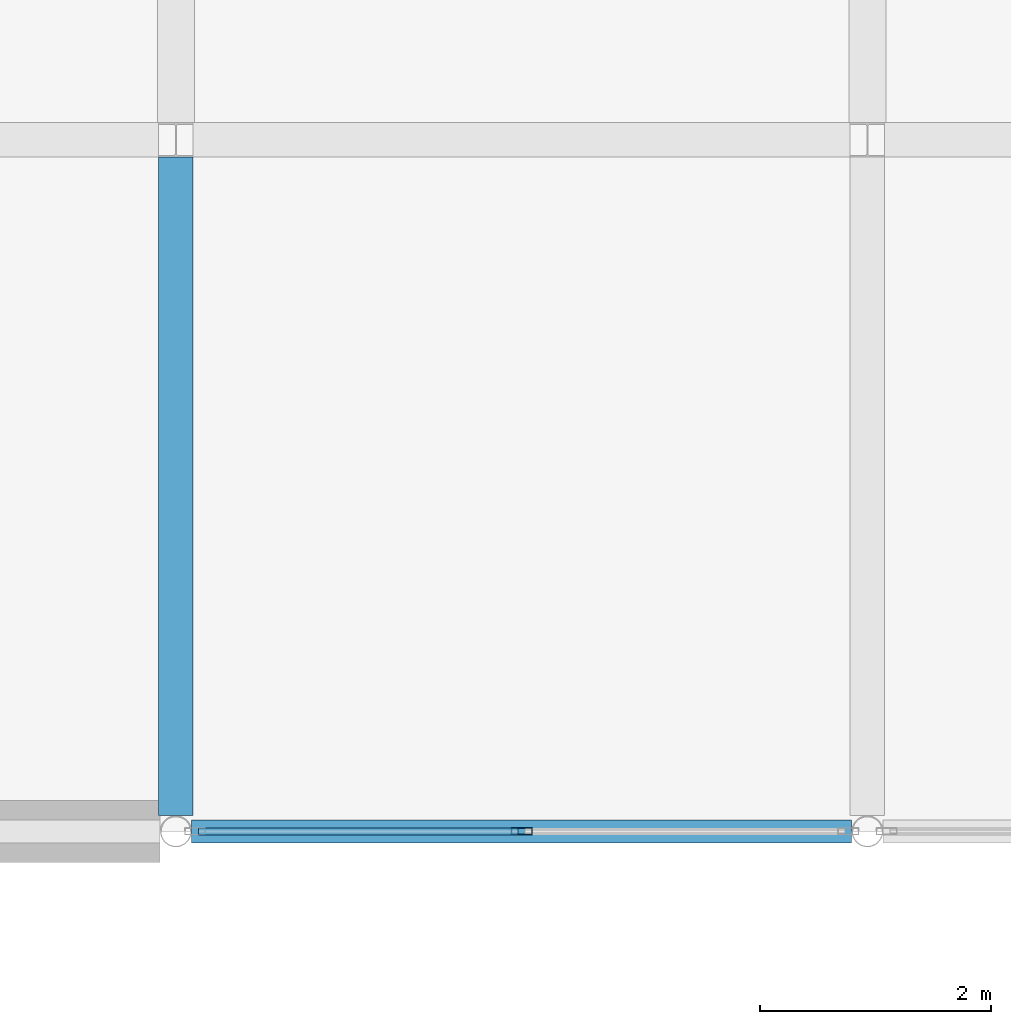
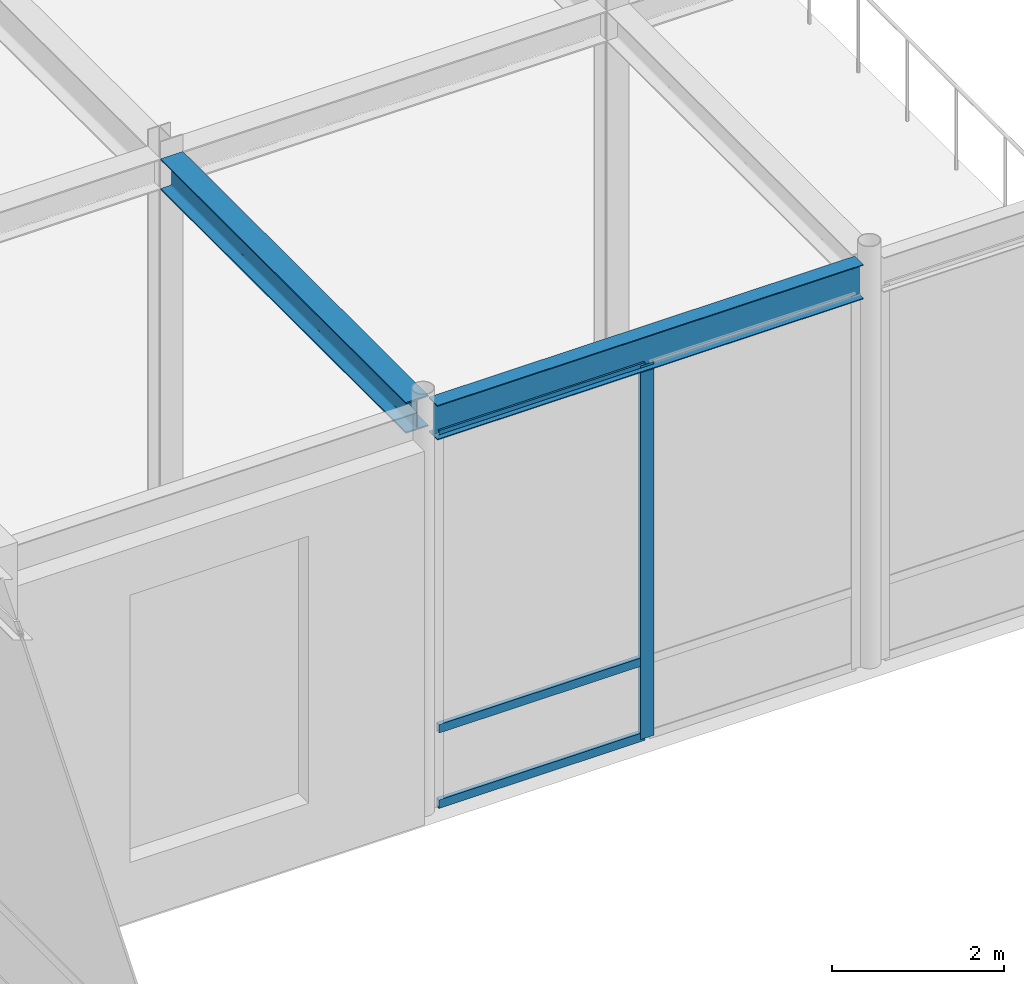
# One storey, part 35 of 108: 4 members, 2 beams, 1 element without a shape of its own.
"""IFC4 building model written with IfcOpenShell, lengths in metres."""

from ifc_helpers import new_model, si_unit, direction, frame, origin, origin_2d, place, context, subcontext, project, spatial, hollow_rectangle, i_section, extrude, material, layer, layer_set, material_profile, profile_set, type_object, element, aggregate, save


model = new_model("IFC4")

# Units and contexts
model_context = context("Model", 3, precision=1e-05, world=origin(), true_north=direction((0.0, 1.0)))
body_context = subcontext(model_context, "Body", "Model", "MODEL_VIEW")
ifc_project = project(units=[si_unit("LENGTHUNIT", "METRE"), si_unit("AREAUNIT", "SQUARE_METRE"), si_unit("VOLUMEUNIT", "CUBIC_METRE"), si_unit("PLANEANGLEUNIT", "RADIAN"), si_unit("MASSUNIT", "GRAM", prefix="KILO")], contexts=[model_context])

# Site, building, storey
site_placement = place(None, origin())
site = spatial("IfcSite", under=ifc_project, at=site_placement, CompositionType="ELEMENT")
building_placement = place(site_placement, origin())
building = spatial("IfcBuilding", under=site, at=building_placement, Name="Zlatovratsky Civic Hall", CompositionType="ELEMENT")
storey_placement = place(building_placement, frame((0.0, 0.0, 6.0)))
storey = spatial("IfcBuildingStorey", under=building, at=storey_placement, Name="L02", CompositionType="ELEMENT", Elevation=6.0)

# Beams
ifc_material_1 = material(Name="Steel S355", Category="steel")
ifc_material_profile_1 = material_profile(ifc_material_1, i_section(OverallWidth=0.198974609375, OverallDepth=0.491943359375, WebThickness=0.0087890625, FlangeThickness=0.011962890625, FilletRadius=0.01611328125, at=origin_2d()), Name="50B1")
ifc_profile_set_1 = profile_set([ifc_material_profile_1], Name="Steel S355")
beam_type_1 = type_object("IfcBeamType", Name="Beam_Spandrel_50B1", PredefinedType="SPANDREL", material=ifc_profile_set_1)
beam_1_placement = place(storey_placement, frame((60.136474609375, 12.0, 5.513916015625), z_axis=(1.0, 0.0, 0.0), x_axis=(0.0, 1.0, 0.0)))
element("IfcBeam", 1, at=beam_1_placement, inside=storey, type_object=beam_type_1, Name="BM-1746", PredefinedType="SPANDREL", context=body_context, shape_type="SweptSolid", body=[
    extrude(i_section(OverallWidth=0.198974609375, OverallDepth=0.491943359375, WebThickness=0.0087890625, FlangeThickness=0.011962890625, FilletRadius=0.01611328125, at=origin_2d()), origin(), (0.0, 0.0, 1.0), 5.72705078125),
])
ifc_material_profile_2 = material_profile(ifc_material_1, i_section(OverallWidth=0.300048828125, OverallDepth=0.43994140625, WebThickness=0.010986328125, FlangeThickness=0.01806640625, FilletRadius=0.02197265625, at=origin_2d()), Name="45Sh1")
ifc_profile_set_2 = profile_set([ifc_material_profile_2], Name="Steel S355")
beam_type_2 = type_object("IfcBeamType", Name="Beam_TowerLow_45Sh1", PredefinedType="BEAM", material=ifc_profile_set_2)
beam_2_placement = place(storey_placement, frame((60.0, 12.136474609375, 5.5400390625), z_axis=(0.0, 1.0, 0.0), x_axis=(-1.0, 0.0, 0.0)))
element("IfcBeam", 2, at=beam_2_placement, inside=storey, type_object=beam_type_2, Name="BM-2164", PredefinedType="BEAM", context=body_context, shape_type="SweptSolid", body=[
    extrude(i_section(OverallWidth=0.300048828125, OverallDepth=0.43994140625, WebThickness=0.010986328125, FlangeThickness=0.01806640625, FilletRadius=0.02197265625, at=origin_2d()), origin(), (0.0, 0.0, 1.0), 5.713623046875),
])

# Curtain wall, members
ifc_material_2 = material(Name="Anodised bronze aluminium", Category="aluminium")
ifc_layer = layer(ifc_material_2, 0.159912109375)
ifc_layer_set = layer_set([ifc_layer], Name="Anodised bronze aluminium")
curtain_wall_type = type_object("IfcCurtainWallType", Name="CurtainWall_Bronze_5730x5310_03", PredefinedType="NOTDEFINED", material=ifc_layer_set)
curtain_wall_placement = place(storey_placement, origin())
curtain_wall = element("IfcCurtainWall", 3, at=curtain_wall_placement, inside=storey, type_object=curtain_wall_type, Name="CW-005", PredefinedType="NOTDEFINED")
ifc_material_profile_3 = material_profile(ifc_material_2, hollow_rectangle(XDim=0.06005859375, YDim=0.179931640625, WallThickness=0.00390625, at=origin_2d()), Name="ALU 60x180x4")
ifc_profile_set_3 = profile_set([ifc_material_profile_3], Name="Anodised bronze aluminium")
member_type_1 = type_object("IfcMemberType", Name="CW_Mullion_60x180", PredefinedType="MULLION", material=ifc_profile_set_3)
member_1_placement = place(storey_placement, frame((63.0, 12.0, 0.0), z_axis=(0.0, 0.0, 1.0), x_axis=(0.0, 1.0, 0.0)))
member_1 = element("IfcMember", 4, at=member_1_placement, type_object=member_type_1, Name="CW-03 mullion 2", PredefinedType="MULLION", context=body_context, shape_type="SweptSolid", body=[
    extrude(hollow_rectangle(XDim=0.06005859375, YDim=0.179931640625, WallThickness=0.00390625, at=origin_2d()), origin(), (0.0, 0.0, 1.0), 5.31005859375),
])
ifc_material_profile_4 = material_profile(ifc_material_2, hollow_rectangle(XDim=0.06005859375, YDim=0.1201171875, WallThickness=0.00390625, at=origin_2d()), Name="ALU 60x120x4")
ifc_profile_set_4 = profile_set([ifc_material_profile_4], Name="Anodised bronze aluminium")
member_type_2 = type_object("IfcMemberType", Name="CW_Transom_60x120", PredefinedType="USERDEFINED", material=ifc_profile_set_4)
member_2_placement = place(storey_placement, frame((60.196533203125, 12.0, 0.030029296875), z_axis=(1.0, 0.0, 0.0), x_axis=(0.0, 1.0, 0.0)))
member_2 = element("IfcMember", 5, at=member_2_placement, type_object=member_type_2, Name="CW-03 transom 1.1", ObjectType="TRANSOM", PredefinedType="USERDEFINED", context=body_context, shape_type="SweptSolid", body=[
    extrude(hollow_rectangle(XDim=0.06005859375, YDim=0.1201171875, WallThickness=0.00390625, at=origin_2d()), origin(), (0.0, 0.0, 1.0), 2.7734375),
])
member_3_placement = place(storey_placement, frame((60.196533203125, 12.0, 1.10009765625), z_axis=(1.0, 0.0, 0.0), x_axis=(0.0, 1.0, 0.0)))
member_3 = element("IfcMember", 6, at=member_3_placement, type_object=member_type_2, Name="CW-03 transom 1.2", ObjectType="TRANSOM", PredefinedType="USERDEFINED", context=body_context, shape_type="SweptSolid", body=[
    extrude(hollow_rectangle(XDim=0.06005859375, YDim=0.1201171875, WallThickness=0.00390625, at=origin_2d()), origin(), (0.0, 0.0, 1.0), 2.7734375),
])
member_4_placement = place(storey_placement, frame((60.196533203125, 12.0, 5.280029296875), z_axis=(1.0, 0.0, 0.0), x_axis=(0.0, 1.0, 0.0)))
member_4 = element("IfcMember", 7, at=member_4_placement, type_object=member_type_2, Name="CW-03 transom 1.3", ObjectType="TRANSOM", PredefinedType="USERDEFINED", context=body_context, shape_type="SweptSolid", body=[
    extrude(hollow_rectangle(XDim=0.06005859375, YDim=0.1201171875, WallThickness=0.00390625, at=origin_2d()), origin(), (0.0, 0.0, 1.0), 2.7734375),
])
aggregate(curtain_wall, [member_1, member_2, member_3, member_4])

save(model, "model.ifc")
